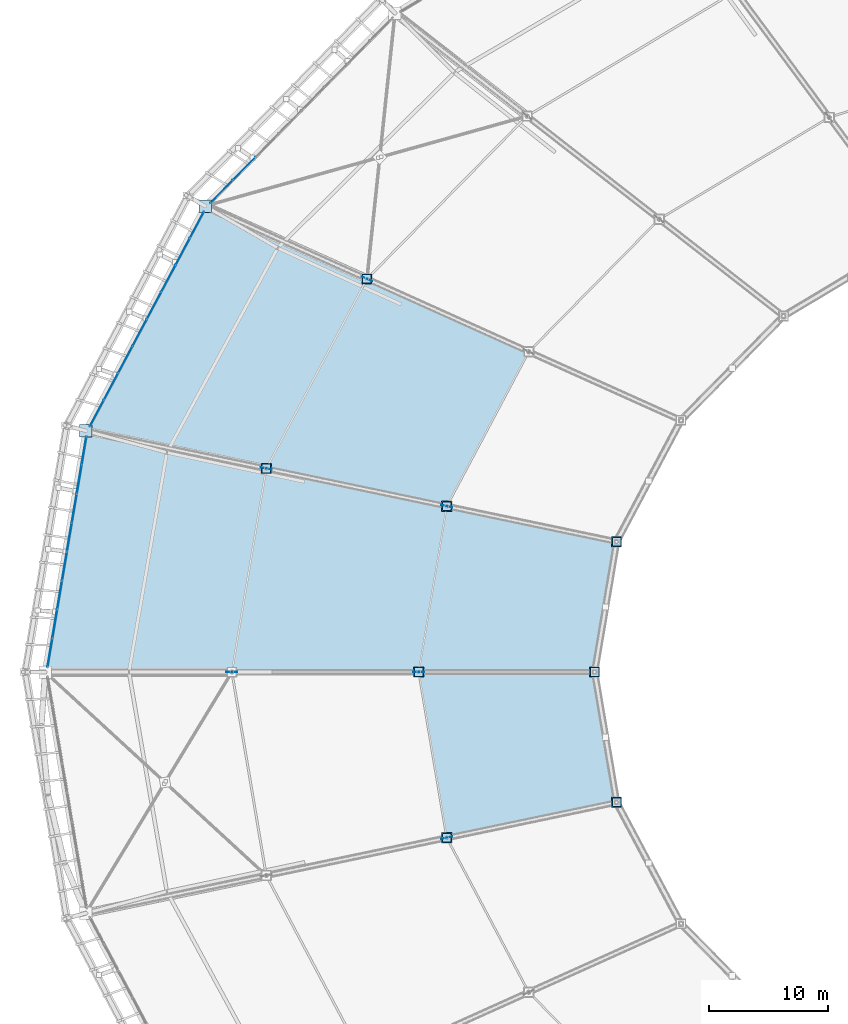
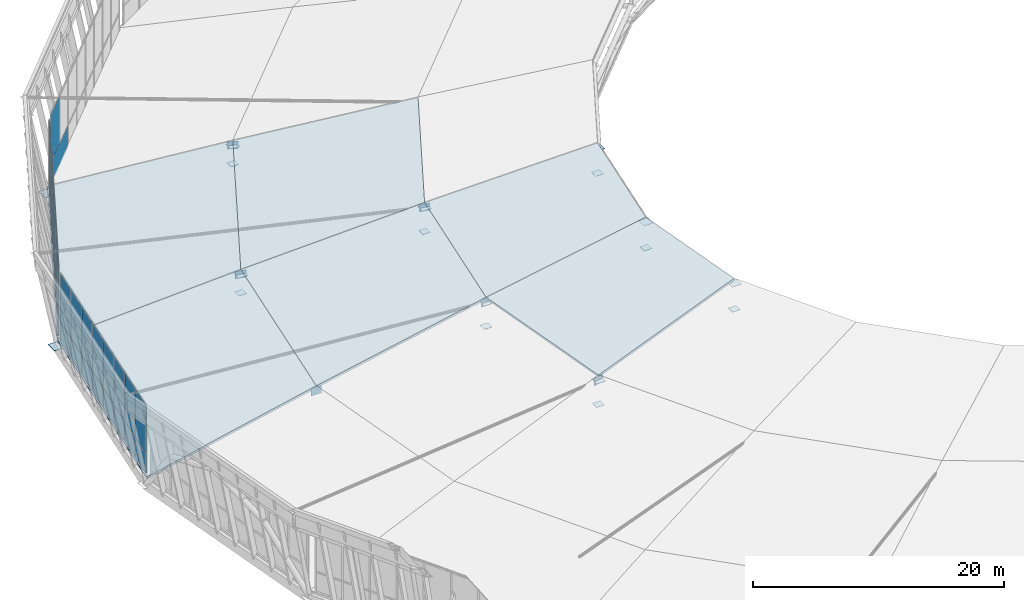
# One storey, part 86 of 115: 59 plates, 6 slabs, 5 elements without a shape of their own.
"""IFC4 building model written with IfcOpenShell, lengths in metres."""

from ifc_helpers import new_model, si_unit, direction, frame, origin, origin_2d, place, context, subcontext, project, spatial, polyline, rectangle, outline, extrude, material, layer, layer_set, type_object, element, aggregate, save


model = new_model("IFC4")

# Units and contexts
model_context = context("Model", 3, precision=1e-05, world=origin(), true_north=direction((0.0, 1.0)))
body_context = subcontext(model_context, "Body", "Model", "MODEL_VIEW")
ifc_project = project(units=[si_unit("LENGTHUNIT", "METRE"), si_unit("AREAUNIT", "SQUARE_METRE"), si_unit("VOLUMEUNIT", "CUBIC_METRE"), si_unit("PLANEANGLEUNIT", "RADIAN"), si_unit("MASSUNIT", "GRAM", prefix="KILO")], contexts=[model_context])

# Site, building, storey
site_placement = place(None, origin())
site = spatial("IfcSite", under=ifc_project, at=site_placement, CompositionType="ELEMENT")
building_placement = place(site_placement, origin())
building = spatial("IfcBuilding", under=site, at=building_placement, Name="Zlatoyarsky Gate Stadium", CompositionType="ELEMENT")
storey_placement = place(building_placement, frame((0.0, 0.0, 31.800048828125)))
storey = spatial("IfcBuildingStorey", under=building, at=storey_placement, Name="RF", CompositionType="ELEMENT", Elevation=31.800048828125)

# Roof, slabs
ifc_material_1 = material(Name="Standing-seam aluminium-zinc roofing with mineral wool insulation", Category="aluminium")
ifc_layer_1 = layer(ifc_material_1, 0.080078125)
ifc_layer_set_1 = layer_set([ifc_layer_1], Name="Standing-seam aluminium-zinc roofing with mineral wool insulation")
roof_type = type_object("IfcRoofType", Name="STADIUM BARREL VAULT ROOF ASSEMBLY", PredefinedType="BARREL_ROOF", material=ifc_layer_set_1)
roof_1_placement = place(storey_placement, origin())
roof_1 = element("IfcRoof", 1, at=roof_1_placement, inside=storey, type_object=roof_type, Name="Stadium barrel arch roof sector 4", PredefinedType="BARREL_ROOF")
ifc_material_2 = material(Name="Concrete C40/50", Category="concrete")
ifc_layer_2 = layer(ifc_material_2, 0.199951171875)
ifc_layer_set_2 = layer_set([ifc_layer_2], Name="Concrete C40/50")
slab_type = type_object("IfcSlabType", Name="COMPOSITE STADIUM ROOF DECK SLAB 200", PredefinedType="ROOF", material=ifc_layer_set_2)
slab_1_placement = place(storey_placement, frame((24.37353515625, 119.013916015625, 0.199951171875), z_axis=(-0.197393520935, 0.104815476231, 0.974704834212), x_axis=(-0.468978328534, -0.8832096735, 7.78726e-07)))
slab_1 = element("IfcSlab", 2, at=slab_1_placement, type_object=slab_type, Name="Stadium arched roof deck sector 10 bay 1", PredefinedType="ROOF", context=body_context, shape_type="SweptSolid", body=[
    extrude(outline(polyline([(0.0, 0.0), (21.30733667960491, 3.552713678800501e-15), (17.010139596106686, 15.212300335087066), (-0.9647004759132345, 15.21243720578129), (0.0, 0.0)])), origin(), (0.0, 0.0, -1.0), 0.199951171875),
])
slab_2_placement = place(storey_placement, frame((37.921875, 112.912109375, 3.599853515625), z_axis=(-0.183541042483, 0.097459660481, 0.97816885061), x_axis=(-0.46898487922, -0.883206195099, -1.019999e-06)))
slab_2 = element("IfcSlab", 3, at=slab_2_placement, type_object=slab_type, Name="Stadium arched roof deck sector 10 bay 2", PredefinedType="ROOF", context=body_context, shape_type="SweptSolid", body=[
    extrude(outline(polyline([(0.0, 0.0), (17.97484007253932, 0.0), (13.67762828224083, 15.158725632562989), (-0.9648163121027542, 15.15856553760574), (0.0, 0.0)])), origin(), (0.0, 0.0, -1.0), 0.199951171875),
])
slab_3_placement = place(storey_placement, frame((14.380859375, 100.195068359375, 0.199951171875), z_axis=(-0.212232882997, 0.035819109006, 0.97656243774), x_axis=(-0.166422396487, -0.986054555259, -7.26426e-07)))
slab_3 = element("IfcSlab", 4, at=slab_3_placement, type_object=slab_type, Name="Stadium arched roof deck sector 11 bay 1", PredefinedType="ROOF", context=body_context, shape_type="SweptSolid", body=[
    extrude(outline(polyline([(0.0, 0.0), (20.480681111773205, 4.440892098500626e-16), (17.877118889923207, 15.796345110952627), (0.5995760338416769, 15.796217675096022), (0.0, 0.0)])), origin(), (0.0, 0.0, -1.0), 0.199951171875),
])
slab_4_placement = place(storey_placement, frame((29.491943359375, 97.03662109375, 3.599853515625), z_axis=(-0.197288387171, 0.033296875225, 0.979779878538), x_axis=(-0.166415266345, -0.98605575863, 7.92078e-07)))
slab_4 = element("IfcSlab", 5, at=slab_4_placement, type_object=slab_type, Name="Stadium arched roof deck sector 11 bay 2", PredefinedType="ROOF", context=body_context, shape_type="SweptSolid", body=[
    extrude(outline(polyline([(0.0, 0.0), (17.27754285655257, -4.440892098500626e-16), (14.674097145623177, 15.744497847299712), (0.5998926512731327, 15.744621963740737), (0.0, 0.0)])), origin(), (0.0, 0.0, -1.0), 0.199951171875),
])
slab_5_placement = place(storey_placement, frame((44.603271484375, 93.8779296875, 6.75), z_axis=(-0.177045392064, 0.029881380548, 0.983748968104), x_axis=(-0.166423993428, -0.986054285732, 6.3215e-08)))
slab_5 = element("IfcSlab", 6, at=slab_5_placement, type_object=slab_type, Name="Stadium arched roof deck sector 11 bay 3", PredefinedType="ROOF", context=body_context, shape_type="SweptSolid", body=[
    extrude(outline(polyline([(0.0, 0.0), (14.074204494904219, 0.0), (11.623757630272953, 14.758625768629122), (0.5642499834091927, 14.758634617646527), (0.0, 0.0)])), origin(), (0.0, 0.0, -1.0), 0.199951171875),
])
aggregate(roof_1, [slab_1, slab_2, slab_3, slab_4, slab_5])

# Roof, slab
roof_2_placement = place(storey_placement, origin())
roof_2 = element("IfcRoof", 7, at=roof_2_placement, inside=storey, type_object=roof_type, Name="Stadium barrel arch roof sector 5", PredefinedType="BARREL_ROOF")
slab_6_placement = place(storey_placement, frame((42.260986328125, 80.0, 6.75), z_axis=(-0.177045392064, -0.029881380548, 0.983748968104), x_axis=(0.166423993428, -0.986054285732, -6.3215e-08)))
slab_6 = element("IfcSlab", 8, at=slab_6_placement, type_object=slab_type, Name="Stadium arched roof deck sector 12 bay 3", PredefinedType="ROOF", context=body_context, shape_type="SweptSolid", body=[
    extrude(outline(polyline([(0.0, 0.0), (14.074204494904219, 0.0), (13.509954511495028, 14.758634617646527), (2.4504468646312674, 14.758625768629122), (0.0, 0.0)])), origin(), (0.0, 0.0, -1.0), 0.199951171875),
])
aggregate(roof_2, [slab_6])

# Plates
ifc_material_3 = material(Name="Steel S355", Category="steel")
ifc_layer_3 = layer(ifc_material_3, 0.02392578125)
ifc_layer_set_3 = layer_set([ifc_layer_3], Name="Steel S355")
plate_type_1 = type_object("IfcPlateType", Name="STEEL COMPRESSION RING NODE CAP SHEET 24", PredefinedType="SHEET", material=ifc_layer_set_3)
for number, where, z_axis, x_axis, name in (
    (9, (24.37353515625, 119.013916015625, -0.4619140625), (0.0, 0.0, 1.0), (1.0, 0.0, 0.0), "Node closure plate ND-CR1 NCAP-CR-10"),
    (10, (14.380859375, 100.195068359375, -0.4619140625), (0.0, 0.0, 1.0), (1.0, 0.0, 0.0), "Node closure plate ND-CR1 NCAP-CR-11"),
):
    element("IfcPlate", number, at=place(storey_placement, frame(where, z_axis=z_axis, x_axis=x_axis)), inside=storey, type_object=plate_type_1, Name=name, PredefinedType="SHEET", context=body_context, shape_type="SweptSolid", body=[
        extrude(rectangle(XDim=1.050048828125, YDim=1.050048828125, at=origin_2d()), origin(), (0.0, 0.0, 1.0), 0.02392578125),
    ])
ifc_layer_4 = layer(ifc_material_3, 0.02392578125)
ifc_layer_set_4 = layer_set([ifc_layer_4], Name="Steel S355")
plate_type_2 = type_object("IfcPlateType", Name="STEEL HOLLOW CHORD SPLICE SHEET 24", PredefinedType="SHEET", material=ifc_layer_set_4)
plate_1_placement = place(storey_placement, frame((37.921875, 112.912109375, 3.137939453125), z_axis=(0.0, 0.0, 1.0), x_axis=(1.0, 0.0, 0.0)))
element("IfcPlate", 11, at=plate_1_placement, inside=storey, type_object=plate_type_2, Name="Node closure plate ND-SP1 NCAP-TCH-10-1", PredefinedType="SHEET", context=body_context, shape_type="SweptSolid", body=[
    extrude(rectangle(XDim=0.85009765625, YDim=0.85009765625, at=origin_2d()), origin(), (0.0, 0.0, 1.0), 0.02392578125),
])
plate_2_placement = place(storey_placement, frame((37.921875, 112.912109375, 1.337890625), z_axis=(0.0, 0.0, 1.0), x_axis=(1.0, 0.0, 0.0)))
element("IfcPlate", 12, at=plate_2_placement, inside=storey, type_object=plate_type_2, Name="Node closure plate ND-SP1 NCAP-BCH-10-1", PredefinedType="SHEET", context=body_context, shape_type="SweptSolid", body=[
    extrude(rectangle(XDim=0.719970703125, YDim=0.719970703125, at=origin_2d()), origin(), (0.0, 0.0, 1.0), 0.02392578125),
])
plate_3_placement = place(storey_placement, frame((29.491943359375, 97.03662109375, 3.137939453125), z_axis=(0.0, 0.0, 1.0), x_axis=(1.0, 0.0, 0.0)))
element("IfcPlate", 13, at=plate_3_placement, inside=storey, type_object=plate_type_2, Name="Node closure plate ND-SP1 NCAP-TCH-11-1", PredefinedType="SHEET", context=body_context, shape_type="SweptSolid", body=[
    extrude(rectangle(XDim=0.85009765625, YDim=0.85009765625, at=origin_2d()), origin(), (0.0, 0.0, 1.0), 0.02392578125),
])
plate_4_placement = place(storey_placement, frame((29.491943359375, 97.03662109375, 1.337890625), z_axis=(0.0, 0.0, 1.0), x_axis=(1.0, 0.0, 0.0)))
element("IfcPlate", 14, at=plate_4_placement, inside=storey, type_object=plate_type_2, Name="Node closure plate ND-SP1 NCAP-BCH-11-1", PredefinedType="SHEET", context=body_context, shape_type="SweptSolid", body=[
    extrude(rectangle(XDim=0.719970703125, YDim=0.719970703125, at=origin_2d()), origin(), (0.0, 0.0, 1.0), 0.02392578125),
])
plate_5_placement = place(storey_placement, frame((44.603271484375, 93.8779296875, 6.2880859375), z_axis=(0.0, 0.0, 1.0), x_axis=(1.0, 0.0, 0.0)))
element("IfcPlate", 15, at=plate_5_placement, inside=storey, type_object=plate_type_2, Name="Node closure plate ND-SP1 NCAP-TCH-11-2", PredefinedType="SHEET", context=body_context, shape_type="SweptSolid", body=[
    extrude(rectangle(XDim=0.85009765625, YDim=0.85009765625, at=origin_2d()), origin(), (0.0, 0.0, 1.0), 0.02392578125),
])
plate_6_placement = place(storey_placement, frame((44.603271484375, 93.8779296875, 3.93798828125), z_axis=(0.0, 0.0, 1.0), x_axis=(1.0, 0.0, 0.0)))
element("IfcPlate", 16, at=plate_6_placement, inside=storey, type_object=plate_type_2, Name="Node closure plate ND-SP1 NCAP-BCH-11-2", PredefinedType="SHEET", context=body_context, shape_type="SweptSolid", body=[
    extrude(rectangle(XDim=0.719970703125, YDim=0.719970703125, at=origin_2d()), origin(), (0.0, 0.0, 1.0), 0.02392578125),
])
plate_7_placement = place(storey_placement, frame((42.260986328125, 80.0, 6.2880859375), z_axis=(0.0, 0.0, 1.0), x_axis=(1.0, 0.0, 0.0)))
element("IfcPlate", 17, at=plate_7_placement, inside=storey, type_object=plate_type_2, Name="Node closure plate ND-SP1 NCAP-TCH-12-2", PredefinedType="SHEET", context=body_context, shape_type="SweptSolid", body=[
    extrude(rectangle(XDim=0.85009765625, YDim=0.85009765625, at=origin_2d()), origin(), (0.0, 0.0, 1.0), 0.02392578125),
])
plate_8_placement = place(storey_placement, frame((42.260986328125, 80.0, 3.93798828125), z_axis=(0.0, 0.0, 1.0), x_axis=(1.0, 0.0, 0.0)))
element("IfcPlate", 18, at=plate_8_placement, inside=storey, type_object=plate_type_2, Name="Node closure plate ND-SP1 NCAP-BCH-12-2", PredefinedType="SHEET", context=body_context, shape_type="SweptSolid", body=[
    extrude(rectangle(XDim=0.719970703125, YDim=0.719970703125, at=origin_2d()), origin(), (0.0, 0.0, 1.0), 0.02392578125),
])
plate_9_placement = place(storey_placement, frame((44.603271484375, 66.1220703125, 6.2880859375), z_axis=(0.0, 0.0, 1.0), x_axis=(1.0, 0.0, 0.0)))
element("IfcPlate", 19, at=plate_9_placement, inside=storey, type_object=plate_type_2, Name="Node closure plate ND-SP1 NCAP-TCH-13-2", PredefinedType="SHEET", context=body_context, shape_type="SweptSolid", body=[
    extrude(rectangle(XDim=0.85009765625, YDim=0.85009765625, at=origin_2d()), origin(), (0.0, 0.0, 1.0), 0.02392578125),
])
plate_10_placement = place(storey_placement, frame((44.603271484375, 66.1220703125, 3.93798828125), z_axis=(0.0, 0.0, 1.0), x_axis=(1.0, 0.0, 0.0)))
element("IfcPlate", 20, at=plate_10_placement, inside=storey, type_object=plate_type_2, Name="Node closure plate ND-SP1 NCAP-BCH-13-2", PredefinedType="SHEET", context=body_context, shape_type="SweptSolid", body=[
    extrude(rectangle(XDim=0.719970703125, YDim=0.719970703125, at=origin_2d()), origin(), (0.0, 0.0, 1.0), 0.02392578125),
])
ifc_layer_5 = layer(ifc_material_3, 0.031982421875)
ifc_layer_set_5 = layer_set([ifc_layer_5], Name="Steel S355")
plate_type_3 = type_object("IfcPlateType", Name="STEEL RADIAL TRUSS GUSSET PLATE 32", PredefinedType="USERDEFINED", material=ifc_layer_set_5)
for number, where, z_axis, x_axis, name in (
    (21, (37.921875, 112.912109375, 2.7900390625), (0.0, 0.0, 1.0), (0.911795809075, -0.410643887757, 0.0), "Radial truss gusset plate ND-WB1 10.1"),
    (22, (29.491943359375, 97.03662109375, 2.7900390625), (0.0, 0.0, 1.0), (0.97884666261, -0.204595237232, 0.0), "Radial truss gusset plate ND-WB1 11.1"),
    (23, (44.603271484375, 93.8779296875, 5.93994140625), (0.0, 0.0, 1.0), (0.97884666261, -0.204595237232, 0.0), "Radial truss gusset plate ND-WB1 11.2"),
    (24, (26.61669921875, 80.0, 2.7900390625), (0.0, 0.0, 1.0), (1.0, 0.0, 0.0), "Radial truss gusset plate ND-WB1 12.1"),
    (25, (42.260986328125, 80.0, 5.93994140625), (0.0, 0.0, 1.0), (1.0, 0.0, 0.0), "Radial truss gusset plate ND-WB1 12.2"),
    (26, (44.603271484375, 66.1220703125, 5.93994140625), (0.0, 0.0, 1.0), (0.97884666261, 0.204595237232, 0.0), "Radial truss gusset plate ND-WB1 13.2"),
):
    element("IfcPlate", number, at=place(storey_placement, frame(where, z_axis=z_axis, x_axis=x_axis)), inside=storey, type_object=plate_type_3, Name=name, ObjectType="GUSSET PLATE", PredefinedType="USERDEFINED", context=body_context, shape_type="SweptSolid", body=[
        extrude(rectangle(XDim=0.919921875, YDim=0.031982421875, at=origin_2d()), origin(), (0.0, 0.0, 1.0), 0.719970703125),
    ])
ifc_layer_6 = layer(ifc_material_3, 0.02392578125)
ifc_layer_set_6 = layer_set([ifc_layer_6], Name="Steel S355")
plate_type_4 = type_object("IfcPlateType", Name="STEEL TENSION RING NODE CAP SHEET 24", PredefinedType="SHEET", material=ifc_layer_set_6)
plate_11_placement = place(storey_placement, frame((58.82568359375, 90.9052734375, 8.93798828125), z_axis=(0.0, 0.0, 1.0), x_axis=(1.0, 0.0, 0.0)))
element("IfcPlate", 27, at=plate_11_placement, inside=storey, type_object=plate_type_4, Name="Node closure plate ND-TR1 NCAP-TCH-11-3", PredefinedType="SHEET", context=body_context, shape_type="SweptSolid", body=[
    extrude(rectangle(XDim=0.85009765625, YDim=0.85009765625, at=origin_2d()), origin(), (0.0, 0.0, 1.0), 0.02392578125),
])
plate_12_placement = place(storey_placement, frame((58.82568359375, 90.9052734375, 6.43798828125), z_axis=(0.0, 0.0, 1.0), x_axis=(1.0, 0.0, 0.0)))
element("IfcPlate", 28, at=plate_12_placement, inside=storey, type_object=plate_type_4, Name="Node closure plate ND-TR1 NCAP-BCH-11-3", PredefinedType="SHEET", context=body_context, shape_type="SweptSolid", body=[
    extrude(rectangle(XDim=0.719970703125, YDim=0.719970703125, at=origin_2d()), origin(), (0.0, 0.0, 1.0), 0.02392578125),
])
plate_13_placement = place(storey_placement, frame((56.985107421875, 80.0, 8.93798828125), z_axis=(0.0, 0.0, 1.0), x_axis=(1.0, 0.0, 0.0)))
element("IfcPlate", 29, at=plate_13_placement, inside=storey, type_object=plate_type_4, Name="Node closure plate ND-TR1 NCAP-TCH-12-3", PredefinedType="SHEET", context=body_context, shape_type="SweptSolid", body=[
    extrude(rectangle(XDim=0.85009765625, YDim=0.85009765625, at=origin_2d()), origin(), (0.0, 0.0, 1.0), 0.02392578125),
])
plate_14_placement = place(storey_placement, frame((56.985107421875, 80.0, 6.43798828125), z_axis=(0.0, 0.0, 1.0), x_axis=(1.0, 0.0, 0.0)))
element("IfcPlate", 30, at=plate_14_placement, inside=storey, type_object=plate_type_4, Name="Node closure plate ND-TR1 NCAP-BCH-12-3", PredefinedType="SHEET", context=body_context, shape_type="SweptSolid", body=[
    extrude(rectangle(XDim=0.719970703125, YDim=0.719970703125, at=origin_2d()), origin(), (0.0, 0.0, 1.0), 0.02392578125),
])
plate_15_placement = place(storey_placement, frame((58.82568359375, 69.0947265625, 8.93798828125), z_axis=(0.0, 0.0, 1.0), x_axis=(1.0, 0.0, 0.0)))
element("IfcPlate", 31, at=plate_15_placement, inside=storey, type_object=plate_type_4, Name="Node closure plate ND-TR1 NCAP-TCH-13-3", PredefinedType="SHEET", context=body_context, shape_type="SweptSolid", body=[
    extrude(rectangle(XDim=0.85009765625, YDim=0.85009765625, at=origin_2d()), origin(), (0.0, 0.0, 1.0), 0.02392578125),
])
plate_16_placement = place(storey_placement, frame((58.82568359375, 69.0947265625, 6.43798828125), z_axis=(0.0, 0.0, 1.0), x_axis=(1.0, 0.0, 0.0)))
element("IfcPlate", 32, at=plate_16_placement, inside=storey, type_object=plate_type_4, Name="Node closure plate ND-TR1 NCAP-BCH-13-3", PredefinedType="SHEET", context=body_context, shape_type="SweptSolid", body=[
    extrude(rectangle(XDim=0.719970703125, YDim=0.719970703125, at=origin_2d()), origin(), (0.0, 0.0, 1.0), 0.02392578125),
])

# Curtain wall, plates
ifc_material_4 = material(Name="Thermally broken anodised aluminium curtain wall", Category="aluminium")
curtain_wall_type = type_object("IfcCurtainWallType", Name="UNITISED SKYBOX RING GLAZING L05", PredefinedType="USERDEFINED", material=ifc_material_4)
curtain_wall_1_placement = place(storey_placement, origin())
curtain_wall_1 = element("IfcCurtainWall", 33, at=curtain_wall_1_placement, inside=storey, type_object=curtain_wall_type, Name="Curtain wall CW-RF-09", ObjectType="UNITISED GLAZING", PredefinedType="USERDEFINED")
ifc_material_5 = material(Name="Triple-glazed argon low-e architectural glass", Category="glass")
ifc_layer_7 = layer(ifc_material_5, 0.0380859375)
ifc_layer_set_7 = layer_set([ifc_layer_7], Name="Triple-glazed argon low-e architectural glass")
plate_type_5 = type_object("IfcPlateType", Name="TRIPLE GLAZED LOW E CURTAIN PANEL 38", PredefinedType="CURTAIN_PANEL", material=ifc_layer_set_7)
plate_17_placement = place(storey_placement, frame((27.646484375, 122.146484375, 0.06494140625), z_axis=(0.0, 0.0, 1.0), x_axis=(-0.701401848456, -0.712766053473, 0.0)))
plate_17 = element("IfcPlate", 34, at=plate_17_placement, type_object=plate_type_5, Name="CW-UG5 panel 7.1", PredefinedType="CURTAIN_PANEL", context=body_context, shape_type="SweptSolid", body=[
    extrude(rectangle(XDim=2.6640625, YDim=0.0380859375, at=origin_2d()), origin(), (0.0, 0.0, 1.0), 2.052490234375),
])
plate_18_placement = place(storey_placement, frame((25.743896484375, 120.213134765625, 0.06494140625), z_axis=(0.0, 0.0, 1.0), x_axis=(-0.701401848456, -0.712766053473, 0.0)))
plate_18 = element("IfcPlate", 35, at=plate_18_placement, type_object=plate_type_5, Name="CW-UG5 panel 8.1", PredefinedType="CURTAIN_PANEL", context=body_context, shape_type="SweptSolid", body=[
    extrude(rectangle(XDim=2.63134765625, YDim=0.0380859375, at=origin_2d()), origin(), (0.0, 0.0, 1.0), 2.052490234375),
])
plate_19_placement = place(storey_placement, frame((25.743896484375, 120.213134765625, 2.1826171875), z_axis=(0.0, 0.0, 1.0), x_axis=(-0.701401848456, -0.712766053473, 0.0)))
plate_19 = element("IfcPlate", 36, at=plate_19_placement, type_object=plate_type_5, Name="CW-UG5 panel 8.2", PredefinedType="CURTAIN_PANEL", context=body_context, shape_type="SweptSolid", body=[
    extrude(rectangle(XDim=2.63134765625, YDim=0.0380859375, at=origin_2d()), origin(), (0.0, 0.0, 1.0), 4.652587890625),
])
aggregate(curtain_wall_1, [plate_17, plate_18, plate_19])

curtain_wall_2_placement = place(storey_placement, origin())
curtain_wall_2 = element("IfcCurtainWall", 37, at=curtain_wall_2_placement, inside=storey, type_object=curtain_wall_type, Name="Curtain wall CW-RF-10", ObjectType="UNITISED GLAZING", PredefinedType="USERDEFINED")
plate_20_placement = place(storey_placement, frame((23.69921875, 117.4462890625, 0.06494140625), z_axis=(0.0, 0.0, 1.0), x_axis=(-0.469126652345, -0.883130898599, 0.0)))
plate_20 = element("IfcPlate", 38, at=plate_20_placement, type_object=plate_type_5, Name="CW-UG5 panel 1.1", PredefinedType="CURTAIN_PANEL", context=body_context, shape_type="SweptSolid", body=[
    extrude(rectangle(XDim=2.46142578125, YDim=0.0380859375, at=origin_2d()), origin(), (0.0, 0.0, 1.0), 2.052490234375),
])
plate_21_placement = place(storey_placement, frame((23.69921875, 117.4462890625, 2.1826171875), z_axis=(0.0, 0.0, 1.0), x_axis=(-0.469126652345, -0.883130898599, 0.0)))
plate_21 = element("IfcPlate", 39, at=plate_21_placement, type_object=plate_type_5, Name="CW-UG5 panel 1.2", PredefinedType="CURTAIN_PANEL", context=body_context, shape_type="SweptSolid", body=[
    extrude(rectangle(XDim=2.46142578125, YDim=0.0380859375, at=origin_2d()), origin(), (0.0, 0.0, 1.0), 4.652587890625),
])
plate_22_placement = place(storey_placement, frame((22.50634765625, 115.20068359375, 0.06494140625), z_axis=(0.0, 0.0, 1.0), x_axis=(-0.469126652345, -0.883130898599, 0.0)))
plate_22 = element("IfcPlate", 40, at=plate_22_placement, type_object=plate_type_5, Name="CW-UG5 panel 2.1", PredefinedType="CURTAIN_PANEL", context=body_context, shape_type="SweptSolid", body=[
    extrude(rectangle(XDim=2.493896484375, YDim=0.0380859375, at=origin_2d()), origin(), (0.0, 0.0, 1.0), 2.052490234375),
])
plate_23_placement = place(storey_placement, frame((22.50634765625, 115.20068359375, 2.1826171875), z_axis=(0.0, 0.0, 1.0), x_axis=(-0.469126652345, -0.883130898599, 0.0)))
plate_23 = element("IfcPlate", 41, at=plate_23_placement, type_object=plate_type_5, Name="CW-UG5 panel 2.2", PredefinedType="CURTAIN_PANEL", context=body_context, shape_type="SweptSolid", body=[
    extrude(rectangle(XDim=2.493896484375, YDim=0.0380859375, at=origin_2d()), origin(), (0.0, 0.0, 1.0), 4.652587890625),
])
plate_24_placement = place(storey_placement, frame((21.30615234375, 112.94091796875, 0.06494140625), z_axis=(0.0, 0.0, 1.0), x_axis=(-0.469126652345, -0.883130898599, 0.0)))
plate_24 = element("IfcPlate", 42, at=plate_24_placement, type_object=plate_type_5, Name="CW-UG5 panel 3.1", PredefinedType="CURTAIN_PANEL", context=body_context, shape_type="SweptSolid", body=[
    extrude(rectangle(XDim=2.493896484375, YDim=0.0380859375, at=origin_2d()), origin(), (0.0, 0.0, 1.0), 2.052490234375),
])
plate_25_placement = place(storey_placement, frame((21.30615234375, 112.94091796875, 2.1826171875), z_axis=(0.0, 0.0, 1.0), x_axis=(-0.469126652345, -0.883130898599, 0.0)))
plate_25 = element("IfcPlate", 43, at=plate_25_placement, type_object=plate_type_5, Name="CW-UG5 panel 3.2", PredefinedType="CURTAIN_PANEL", context=body_context, shape_type="SweptSolid", body=[
    extrude(rectangle(XDim=2.493896484375, YDim=0.0380859375, at=origin_2d()), origin(), (0.0, 0.0, 1.0), 4.652587890625),
])
plate_26_placement = place(storey_placement, frame((20.105712890625, 110.68115234375, 0.06494140625), z_axis=(0.0, 0.0, 1.0), x_axis=(-0.469126652345, -0.883130898599, 0.0)))
plate_26 = element("IfcPlate", 44, at=plate_26_placement, type_object=plate_type_5, Name="CW-UG5 panel 4.1", PredefinedType="CURTAIN_PANEL", context=body_context, shape_type="SweptSolid", body=[
    extrude(rectangle(XDim=2.493896484375, YDim=0.0380859375, at=origin_2d()), origin(), (0.0, 0.0, 1.0), 2.052490234375),
])
plate_27_placement = place(storey_placement, frame((20.105712890625, 110.68115234375, 2.1826171875), z_axis=(0.0, 0.0, 1.0), x_axis=(-0.469126652345, -0.883130898599, 0.0)))
plate_27 = element("IfcPlate", 45, at=plate_27_placement, type_object=plate_type_5, Name="CW-UG5 panel 4.2", PredefinedType="CURTAIN_PANEL", context=body_context, shape_type="SweptSolid", body=[
    extrude(rectangle(XDim=2.493896484375, YDim=0.0380859375, at=origin_2d()), origin(), (0.0, 0.0, 1.0), 4.652587890625),
])
plate_28_placement = place(storey_placement, frame((18.9052734375, 108.42138671875, 0.06494140625), z_axis=(0.0, 0.0, 1.0), x_axis=(-0.469126652345, -0.883130898599, 0.0)))
plate_28 = element("IfcPlate", 46, at=plate_28_placement, type_object=plate_type_5, Name="CW-UG5 panel 5.1", PredefinedType="CURTAIN_PANEL", context=body_context, shape_type="SweptSolid", body=[
    extrude(rectangle(XDim=2.493896484375, YDim=0.0380859375, at=origin_2d()), origin(), (0.0, 0.0, 1.0), 2.052490234375),
])
plate_29_placement = place(storey_placement, frame((18.9052734375, 108.42138671875, 2.1826171875), z_axis=(0.0, 0.0, 1.0), x_axis=(-0.469126652345, -0.883130898599, 0.0)))
plate_29 = element("IfcPlate", 47, at=plate_29_placement, type_object=plate_type_5, Name="CW-UG5 panel 5.2", PredefinedType="CURTAIN_PANEL", context=body_context, shape_type="SweptSolid", body=[
    extrude(rectangle(XDim=2.493896484375, YDim=0.0380859375, at=origin_2d()), origin(), (0.0, 0.0, 1.0), 4.652587890625),
])
plate_30_placement = place(storey_placement, frame((17.704833984375, 106.16162109375, 0.06494140625), z_axis=(0.0, 0.0, 1.0), x_axis=(-0.469126652345, -0.883130898599, 0.0)))
plate_30 = element("IfcPlate", 48, at=plate_30_placement, type_object=plate_type_5, Name="CW-UG5 panel 6.1", PredefinedType="CURTAIN_PANEL", context=body_context, shape_type="SweptSolid", body=[
    extrude(rectangle(XDim=2.493896484375, YDim=0.0380859375, at=origin_2d()), origin(), (0.0, 0.0, 1.0), 2.052490234375),
])
plate_31_placement = place(storey_placement, frame((17.704833984375, 106.16162109375, 2.1826171875), z_axis=(0.0, 0.0, 1.0), x_axis=(-0.469126652345, -0.883130898599, 0.0)))
plate_31 = element("IfcPlate", 49, at=plate_31_placement, type_object=plate_type_5, Name="CW-UG5 panel 6.2", PredefinedType="CURTAIN_PANEL", context=body_context, shape_type="SweptSolid", body=[
    extrude(rectangle(XDim=2.493896484375, YDim=0.0380859375, at=origin_2d()), origin(), (0.0, 0.0, 1.0), 4.652587890625),
])
plate_32_placement = place(storey_placement, frame((16.50439453125, 103.90185546875, 0.06494140625), z_axis=(0.0, 0.0, 1.0), x_axis=(-0.469126652345, -0.883130898599, 0.0)))
plate_32 = element("IfcPlate", 50, at=plate_32_placement, type_object=plate_type_5, Name="CW-UG5 panel 7.1", PredefinedType="CURTAIN_PANEL", context=body_context, shape_type="SweptSolid", body=[
    extrude(rectangle(XDim=2.493896484375, YDim=0.0380859375, at=origin_2d()), origin(), (0.0, 0.0, 1.0), 2.052490234375),
])
plate_33_placement = place(storey_placement, frame((16.50439453125, 103.90185546875, 2.1826171875), z_axis=(0.0, 0.0, 1.0), x_axis=(-0.469126652345, -0.883130898599, 0.0)))
plate_33 = element("IfcPlate", 51, at=plate_33_placement, type_object=plate_type_5, Name="CW-UG5 panel 7.2", PredefinedType="CURTAIN_PANEL", context=body_context, shape_type="SweptSolid", body=[
    extrude(rectangle(XDim=2.493896484375, YDim=0.0380859375, at=origin_2d()), origin(), (0.0, 0.0, 1.0), 4.652587890625),
])
plate_34_placement = place(storey_placement, frame((15.3115234375, 101.65625, 0.06494140625), z_axis=(0.0, 0.0, 1.0), x_axis=(-0.469126652345, -0.883130898599, 0.0)))
plate_34 = element("IfcPlate", 52, at=plate_34_placement, type_object=plate_type_5, Name="CW-UG5 panel 8.1", PredefinedType="CURTAIN_PANEL", context=body_context, shape_type="SweptSolid", body=[
    extrude(rectangle(XDim=2.46142578125, YDim=0.0380859375, at=origin_2d()), origin(), (0.0, 0.0, 1.0), 2.052490234375),
])
plate_35_placement = place(storey_placement, frame((15.3115234375, 101.65625, 2.1826171875), z_axis=(0.0, 0.0, 1.0), x_axis=(-0.469126652345, -0.883130898599, 0.0)))
plate_35 = element("IfcPlate", 53, at=plate_35_placement, type_object=plate_type_5, Name="CW-UG5 panel 8.2", PredefinedType="CURTAIN_PANEL", context=body_context, shape_type="SweptSolid", body=[
    extrude(rectangle(XDim=2.46142578125, YDim=0.0380859375, at=origin_2d()), origin(), (0.0, 0.0, 1.0), 4.652587890625),
])
aggregate(curtain_wall_2, [plate_20, plate_21, plate_22, plate_23, plate_24, plate_25, plate_26, plate_27, plate_28, plate_29, plate_30, plate_31, plate_32, plate_33, plate_34, plate_35])

curtain_wall_3_placement = place(storey_placement, origin())
curtain_wall_3 = element("IfcCurtainWall", 54, at=curtain_wall_3_placement, inside=storey, type_object=curtain_wall_type, Name="Curtain wall CW-RF-11", ObjectType="UNITISED GLAZING", PredefinedType="USERDEFINED")
plate_36_placement = place(storey_placement, frame((14.2421875, 98.537841796875, 0.06494140625), z_axis=(0.0, 0.0, 1.0), x_axis=(-0.166482179311, -0.986044463486, 0.0)))
plate_36 = element("IfcPlate", 55, at=plate_36_placement, type_object=plate_type_5, Name="CW-UG5 panel 1.1", PredefinedType="CURTAIN_PANEL", context=body_context, shape_type="SweptSolid", body=[
    extrude(rectangle(XDim=2.35791015625, YDim=0.0380859375, at=origin_2d()), origin(), (0.0, 0.0, 1.0), 2.052490234375),
])
plate_37_placement = place(storey_placement, frame((14.2421875, 98.537841796875, 2.1826171875), z_axis=(0.0, 0.0, 1.0), x_axis=(-0.166482179311, -0.986044463486, 0.0)))
plate_37 = element("IfcPlate", 56, at=plate_37_placement, type_object=plate_type_5, Name="CW-UG5 panel 1.2", PredefinedType="CURTAIN_PANEL", context=body_context, shape_type="SweptSolid", body=[
    extrude(rectangle(XDim=2.35791015625, YDim=0.0380859375, at=origin_2d()), origin(), (0.0, 0.0, 1.0), 4.652587890625),
])
plate_38_placement = place(storey_placement, frame((13.836181640625, 96.132568359375, 0.06494140625), z_axis=(0.0, 0.0, 1.0), x_axis=(-0.166482179311, -0.986044463486, 0.0)))
plate_38 = element("IfcPlate", 57, at=plate_38_placement, type_object=plate_type_5, Name="CW-UG5 panel 2.1", PredefinedType="CURTAIN_PANEL", context=body_context, shape_type="SweptSolid", body=[
    extrude(rectangle(XDim=2.390625, YDim=0.0380859375, at=origin_2d()), origin(), (0.0, 0.0, 1.0), 2.052490234375),
])
plate_39_placement = place(storey_placement, frame((13.836181640625, 96.132568359375, 2.1826171875), z_axis=(0.0, 0.0, 1.0), x_axis=(-0.166482179311, -0.986044463486, 0.0)))
plate_39 = element("IfcPlate", 58, at=plate_39_placement, type_object=plate_type_5, Name="CW-UG5 panel 2.2", PredefinedType="CURTAIN_PANEL", context=body_context, shape_type="SweptSolid", body=[
    extrude(rectangle(XDim=2.390625, YDim=0.0380859375, at=origin_2d()), origin(), (0.0, 0.0, 1.0), 4.652587890625),
])
plate_40_placement = place(storey_placement, frame((13.427490234375, 93.711181640625, 0.06494140625), z_axis=(0.0, 0.0, 1.0), x_axis=(-0.166482179311, -0.986044463486, 0.0)))
plate_40 = element("IfcPlate", 59, at=plate_40_placement, type_object=plate_type_5, Name="CW-UG5 panel 3.1", PredefinedType="CURTAIN_PANEL", context=body_context, shape_type="SweptSolid", body=[
    extrude(rectangle(XDim=2.390625, YDim=0.0380859375, at=origin_2d()), origin(), (0.0, 0.0, 1.0), 2.052490234375),
])
plate_41_placement = place(storey_placement, frame((13.427490234375, 93.711181640625, 2.1826171875), z_axis=(0.0, 0.0, 1.0), x_axis=(-0.166482179311, -0.986044463486, 0.0)))
plate_41 = element("IfcPlate", 60, at=plate_41_placement, type_object=plate_type_5, Name="CW-UG5 panel 3.2", PredefinedType="CURTAIN_PANEL", context=body_context, shape_type="SweptSolid", body=[
    extrude(rectangle(XDim=2.390625, YDim=0.0380859375, at=origin_2d()), origin(), (0.0, 0.0, 1.0), 4.652587890625),
])
plate_42_placement = place(storey_placement, frame((13.0185546875, 91.2900390625, 0.06494140625), z_axis=(0.0, 0.0, 1.0), x_axis=(-0.166482179311, -0.986044463486, 0.0)))
plate_42 = element("IfcPlate", 61, at=plate_42_placement, type_object=plate_type_5, Name="CW-UG5 panel 4.1", PredefinedType="CURTAIN_PANEL", context=body_context, shape_type="SweptSolid", body=[
    extrude(rectangle(XDim=2.390625, YDim=0.0380859375, at=origin_2d()), origin(), (0.0, 0.0, 1.0), 2.052490234375),
])
plate_43_placement = place(storey_placement, frame((13.0185546875, 91.2900390625, 2.1826171875), z_axis=(0.0, 0.0, 1.0), x_axis=(-0.166482179311, -0.986044463486, 0.0)))
plate_43 = element("IfcPlate", 62, at=plate_43_placement, type_object=plate_type_5, Name="CW-UG5 panel 4.2", PredefinedType="CURTAIN_PANEL", context=body_context, shape_type="SweptSolid", body=[
    extrude(rectangle(XDim=2.390625, YDim=0.0380859375, at=origin_2d()), origin(), (0.0, 0.0, 1.0), 4.652587890625),
])
plate_44_placement = place(storey_placement, frame((12.60986328125, 88.868896484375, 0.06494140625), z_axis=(0.0, 0.0, 1.0), x_axis=(-0.166482179311, -0.986044463486, 0.0)))
plate_44 = element("IfcPlate", 63, at=plate_44_placement, type_object=plate_type_5, Name="CW-UG5 panel 5.1", PredefinedType="CURTAIN_PANEL", context=body_context, shape_type="SweptSolid", body=[
    extrude(rectangle(XDim=2.390625, YDim=0.0380859375, at=origin_2d()), origin(), (0.0, 0.0, 1.0), 2.052490234375),
])
plate_45_placement = place(storey_placement, frame((12.60986328125, 88.868896484375, 2.1826171875), z_axis=(0.0, 0.0, 1.0), x_axis=(-0.166482179311, -0.986044463486, 0.0)))
plate_45 = element("IfcPlate", 64, at=plate_45_placement, type_object=plate_type_5, Name="CW-UG5 panel 5.2", PredefinedType="CURTAIN_PANEL", context=body_context, shape_type="SweptSolid", body=[
    extrude(rectangle(XDim=2.390625, YDim=0.0380859375, at=origin_2d()), origin(), (0.0, 0.0, 1.0), 4.652587890625),
])
plate_46_placement = place(storey_placement, frame((12.200927734375, 86.447509765625, 0.06494140625), z_axis=(0.0, 0.0, 1.0), x_axis=(-0.166482179311, -0.986044463486, 0.0)))
plate_46 = element("IfcPlate", 65, at=plate_46_placement, type_object=plate_type_5, Name="CW-UG5 panel 6.1", PredefinedType="CURTAIN_PANEL", context=body_context, shape_type="SweptSolid", body=[
    extrude(rectangle(XDim=2.390625, YDim=0.0380859375, at=origin_2d()), origin(), (0.0, 0.0, 1.0), 2.052490234375),
])
plate_47_placement = place(storey_placement, frame((12.200927734375, 86.447509765625, 2.1826171875), z_axis=(0.0, 0.0, 1.0), x_axis=(-0.166482179311, -0.986044463486, 0.0)))
plate_47 = element("IfcPlate", 66, at=plate_47_placement, type_object=plate_type_5, Name="CW-UG5 panel 6.2", PredefinedType="CURTAIN_PANEL", context=body_context, shape_type="SweptSolid", body=[
    extrude(rectangle(XDim=2.390625, YDim=0.0380859375, at=origin_2d()), origin(), (0.0, 0.0, 1.0), 4.652587890625),
])
plate_48_placement = place(storey_placement, frame((11.792236328125, 84.0263671875, 0.06494140625), z_axis=(0.0, 0.0, 1.0), x_axis=(-0.166482179311, -0.986044463486, 0.0)))
plate_48 = element("IfcPlate", 67, at=plate_48_placement, type_object=plate_type_5, Name="CW-UG5 panel 7.1", PredefinedType="CURTAIN_PANEL", context=body_context, shape_type="SweptSolid", body=[
    extrude(rectangle(XDim=2.390625, YDim=0.0380859375, at=origin_2d()), origin(), (0.0, 0.0, 1.0), 2.052490234375),
])
plate_49_placement = place(storey_placement, frame((11.792236328125, 84.0263671875, 2.1826171875), z_axis=(0.0, 0.0, 1.0), x_axis=(-0.166482179311, -0.986044463486, 0.0)))
plate_49 = element("IfcPlate", 68, at=plate_49_placement, type_object=plate_type_5, Name="CW-UG5 panel 7.2", PredefinedType="CURTAIN_PANEL", context=body_context, shape_type="SweptSolid", body=[
    extrude(rectangle(XDim=2.390625, YDim=0.0380859375, at=origin_2d()), origin(), (0.0, 0.0, 1.0), 4.652587890625),
])
plate_50_placement = place(storey_placement, frame((11.385986328125, 81.62109375, 0.06494140625), z_axis=(0.0, 0.0, 1.0), x_axis=(-0.166482179311, -0.986044463486, 0.0)))
plate_50 = element("IfcPlate", 69, at=plate_50_placement, type_object=plate_type_5, Name="CW-UG5 panel 8.1", PredefinedType="CURTAIN_PANEL", context=body_context, shape_type="SweptSolid", body=[
    extrude(rectangle(XDim=2.35791015625, YDim=0.0380859375, at=origin_2d()), origin(), (0.0, 0.0, 1.0), 2.052490234375),
])
plate_51_placement = place(storey_placement, frame((11.385986328125, 81.62109375, 2.1826171875), z_axis=(0.0, 0.0, 1.0), x_axis=(-0.166482179311, -0.986044463486, 0.0)))
plate_51 = element("IfcPlate", 70, at=plate_51_placement, type_object=plate_type_5, Name="CW-UG5 panel 8.2", PredefinedType="CURTAIN_PANEL", context=body_context, shape_type="SweptSolid", body=[
    extrude(rectangle(XDim=2.35791015625, YDim=0.0380859375, at=origin_2d()), origin(), (0.0, 0.0, 1.0), 4.652587890625),
])
aggregate(curtain_wall_3, [plate_36, plate_37, plate_38, plate_39, plate_40, plate_41, plate_42, plate_43, plate_44, plate_45, plate_46, plate_47, plate_48, plate_49, plate_50, plate_51])

save(model, "model.ifc")
